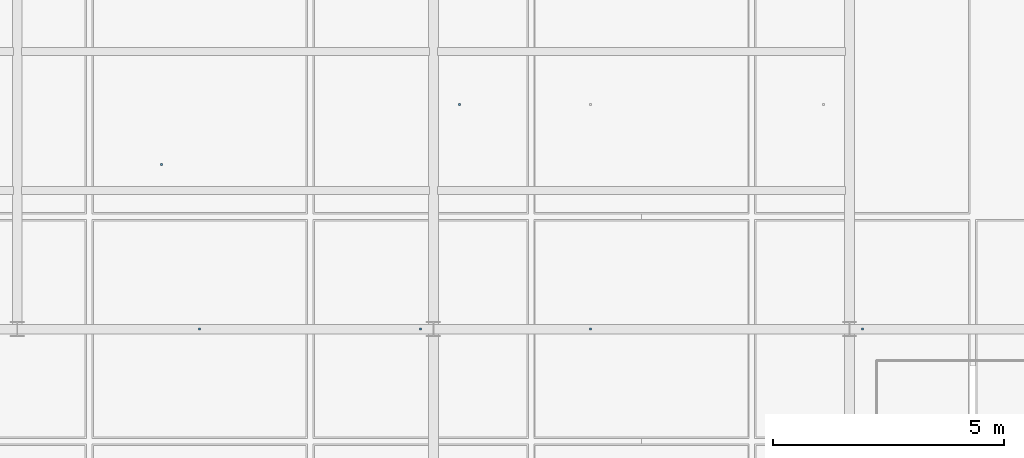
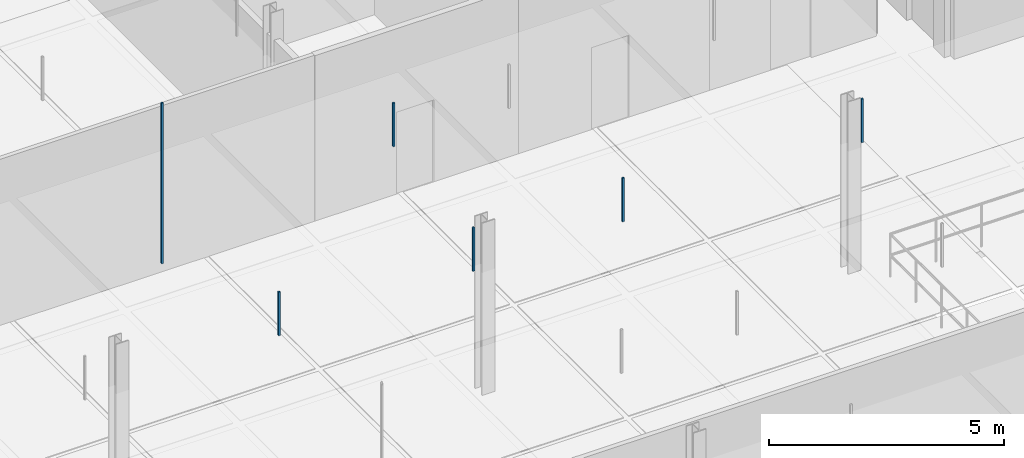
# One storey, part 53 of 66: 6 discrete accessories.
"""IFC4 building model written with IfcOpenShell, lengths in metres."""

from ifc_helpers import new_model, si_unit, direction, frame, origin, origin_2d, place, context, subcontext, project, spatial, rectangle, extrude, material, type_object, element, save


model = new_model("IFC4")

# Units and contexts
model_context = context("Model", 3, precision=1e-05, world=origin(), true_north=direction((0.0, 1.0)))
body_context = subcontext(model_context, "Body", "Model", "MODEL_VIEW")
ifc_project = project(units=[si_unit("LENGTHUNIT", "METRE"), si_unit("AREAUNIT", "SQUARE_METRE"), si_unit("VOLUMEUNIT", "CUBIC_METRE"), si_unit("PLANEANGLEUNIT", "RADIAN"), si_unit("MASSUNIT", "GRAM", prefix="KILO"), si_unit("THERMODYNAMICTEMPERATUREUNIT", "KELVIN"), si_unit("POWERUNIT", "WATT")], contexts=[model_context])

# Site, building, storey
site_placement = place(None, origin())
site = spatial("IfcSite", under=ifc_project, at=site_placement, CompositionType="ELEMENT")
building_placement = place(site_placement, origin())
building = spatial("IfcBuilding", under=site, at=building_placement, Name="Tallowbark Science Centre", CompositionType="ELEMENT")
storey_placement = place(building_placement, frame((0.0, 0.0, 18.89990234375)))
storey = spatial("IfcBuildingStorey", under=building, at=storey_placement, Name="L04", CompositionType="ELEMENT", Elevation=18.89990234375)

# Discrete accessories
ifc_material = material(Name="Galvanised Steel Grade C350L0 (350 MPa)", Category="steel")
discrete_accessory_type = type_object("IfcDiscreteAccessoryType", Name="ACC-CLG-HNG", PredefinedType="BRACKET", material=ifc_material)
discrete_accessory_1_placement = place(storey_placement, frame((71.4443359375, 22.5, 3.20947265625), z_axis=(0.0, 0.0, 1.0), x_axis=(1.0, 0.0, 0.0)))
element("IfcDiscreteAccessory", 1, at=discrete_accessory_1_placement, inside=storey, type_object=discrete_accessory_type, Name="Ceiling Hanger Bracket L04-1079", PredefinedType="BRACKET", context=body_context, shape_type="SweptSolid", body=[
    extrude(rectangle(XDim=0.044921875, YDim=0.044921875, at=origin_2d()), origin(), (0.0, 0.0, 1.0), 1.133544921875),
])
discrete_accessory_2_placement = place(storey_placement, frame((70.62060546875, 26.057373046875, 3.20947265625), z_axis=(0.0, 0.0, 1.0), x_axis=(1.0, 0.0, 0.0)))
element("IfcDiscreteAccessory", 2, at=discrete_accessory_2_placement, inside=storey, type_object=discrete_accessory_type, Name="Ceiling Hanger Bracket L04-1080", PredefinedType="BRACKET", context=body_context, shape_type="SweptSolid", body=[
    extrude(rectangle(XDim=0.044921875, YDim=0.044921875, at=origin_2d()), origin(), (0.0, 0.0, 1.0), 4.177490234375),
])
for number, where, z_axis, x_axis, name in (
    (3, (76.22216796875, 22.5, 3.20947265625), (0.0, 0.0, 1.0), (1.0, 0.0, 0.0), "Ceiling Hanger Bracket L04-1086"),
    (4, (77.060546875, 27.357177734375, 3.20947265625), (0.0, 0.0, 1.0), (1.0, 0.0, 0.0), "Ceiling Hanger Bracket L04-1087"),
    (5, (79.900390625, 22.5, 3.20947265625), (0.0, 0.0, 1.0), (1.0, 0.0, 0.0), "Ceiling Hanger Bracket L04-1093"),
    (6, (85.77783203125, 22.5, 3.20947265625), (0.0, 0.0, 1.0), (1.0, 0.0, 0.0), "Ceiling Hanger Bracket L04-1100"),
):
    element("IfcDiscreteAccessory", number, at=place(storey_placement, frame(where, z_axis=z_axis, x_axis=x_axis)), inside=storey, type_object=discrete_accessory_type, Name=name, PredefinedType="BRACKET", context=body_context, shape_type="SweptSolid", body=[
        extrude(rectangle(XDim=0.044921875, YDim=0.044921875, at=origin_2d()), origin(), (0.0, 0.0, 1.0), 1.133544921875),
    ])

save(model, "model.ifc")
